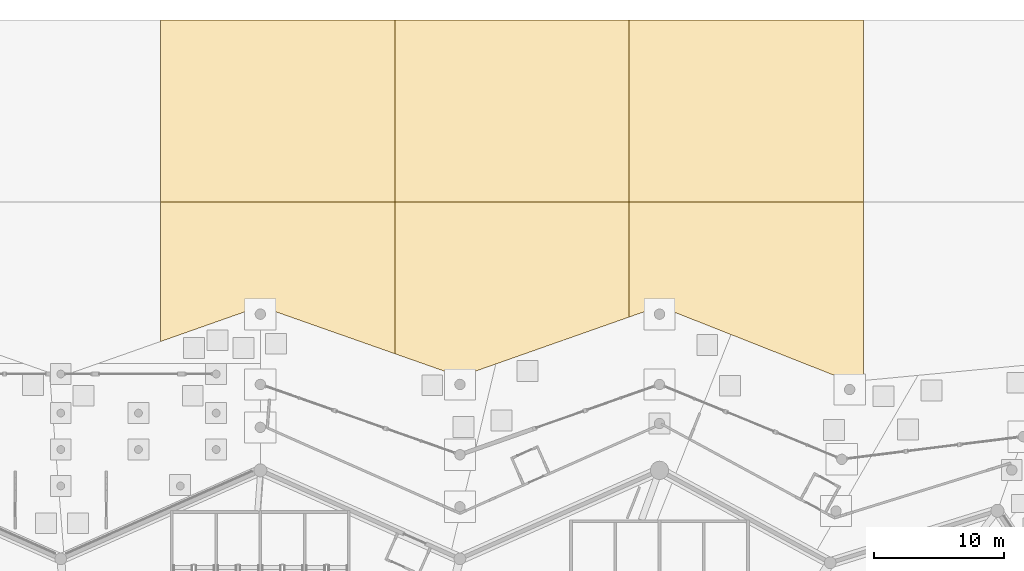
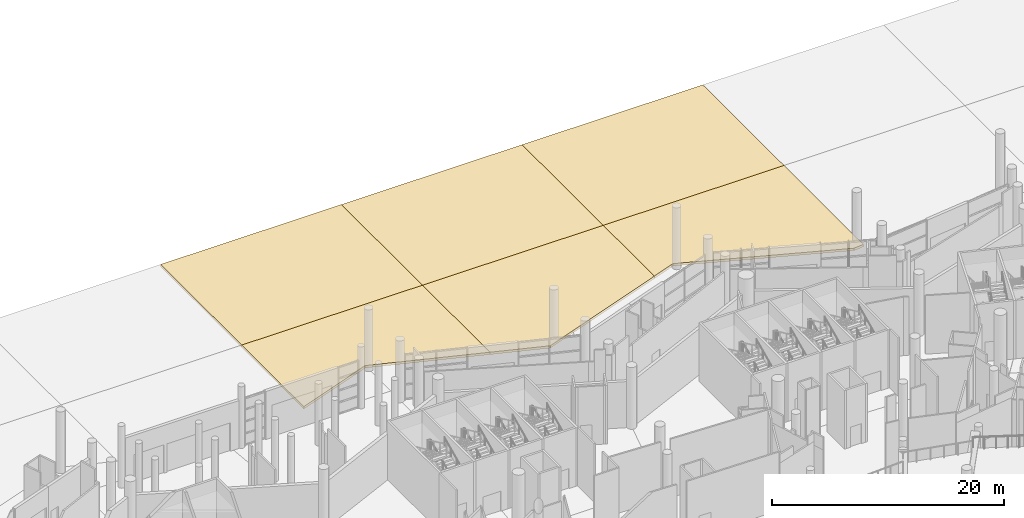
# One storey, part 251 of 255: 6 coverings.
"""IFC4 building model written with IfcOpenShell, lengths in metres."""

from ifc_helpers import new_model, si_unit, direction, frame, origin, place, context, subcontext, project, spatial, polyline, outline, extrude, material, layer, layer_set, type_object, element, save


model = new_model("IFC4")

# Units and contexts
model_context = context("Model", 3, precision=1e-05, world=origin(), true_north=direction((0.0, 1.0)))
body_context = subcontext(model_context, "Body", "Model", "MODEL_VIEW")
ifc_project = project(units=[si_unit("LENGTHUNIT", "METRE"), si_unit("AREAUNIT", "SQUARE_METRE"), si_unit("VOLUMEUNIT", "CUBIC_METRE"), si_unit("PLANEANGLEUNIT", "RADIAN"), si_unit("MASSUNIT", "GRAM", prefix="KILO")], contexts=[model_context])

# Site, building, storey
site_placement = place(None, origin())
site = spatial("IfcSite", under=ifc_project, at=site_placement, CompositionType="ELEMENT")
building_placement = place(site_placement, origin())
building = spatial("IfcBuilding", under=site, at=building_placement, Name="Meseta Stadium", CompositionType="ELEMENT")
storey_placement = place(building_placement, origin())
storey = spatial("IfcBuildingStorey", under=building, at=storey_placement, Name="L00", CompositionType="ELEMENT", Elevation=0.0)

# Coverings
ifc_material = material(Name="Guadarrama granite paving on bedding", Category="masonry")
ifc_layer = layer(ifc_material, 0.25)
ifc_layer_set = layer_set([ifc_layer], Name="Ground paving 250")
covering_type = type_object("IfcCoveringType", Name="Ground paving 250", PredefinedType="FLOORING", material=ifc_layer_set)
covering_1_placement = place(storey_placement, frame((0.0, 0.0, -0.25)))
element("IfcCovering", 1, at=covering_1_placement, inside=storey, type_object=covering_type, Name="Forecourt paving 71", PredefinedType="FLOORING", context=body_context, shape_type="SweptSolid", body=[
    extrude(outline(polyline([(18.0, 114.36083984375), (23.0, 112.60009765625), (36.0, 117.17822265625), (36.0, 126.0), (18.0, 126.0), (18.0, 114.36083984375)])), origin(), (0.0, 0.0, 1.0), 0.25),
])
covering_2_placement = place(storey_placement, frame((0.0, 0.0, -0.25)))
element("IfcCovering", 2, at=covering_2_placement, inside=storey, type_object=covering_type, Name="Forecourt paving 73", PredefinedType="FLOORING", context=body_context, shape_type="SweptSolid", body=[
    extrude(outline(polyline([(36.0, 117.17822265625), (38.333251953125, 118.0), (53.009033203125, 112.206298828125), (54.0, 112.30029296875), (54.0, 126.0), (36.0, 126.0), (36.0, 117.17822265625)])), origin(), (0.0, 0.0, 1.0), 0.25),
])
covering_3_placement = place(storey_placement, frame((0.0, 0.0, -0.25)))
element("IfcCovering", 3, at=covering_3_placement, inside=storey, type_object=covering_type, Name="Forecourt paving 75", PredefinedType="FLOORING", context=body_context, shape_type="SweptSolid", body=[
    extrude(outline(polyline([(0.0, 115.300048828125), (7.666748046875, 118.0), (18.0, 114.36083984375), (18.0, 126.0), (0.0, 126.0), (0.0, 115.300048828125)])), origin(), (0.0, 0.0, 1.0), 0.25),
])
covering_4_placement = place(storey_placement, frame((0.0, 0.0, -0.25)))
element("IfcCovering", 4, at=covering_4_placement, inside=storey, type_object=covering_type, Name="Forecourt paving 84", PredefinedType="FLOORING", context=body_context, shape_type="SweptSolid", body=[
    extrude(outline(polyline([(18.0, 140.0), (0.0, 140.0), (0.0, 126.0), (18.0, 126.0), (18.0, 140.0)])), origin(), (0.0, 0.0, 1.0), 0.25),
])
covering_5_placement = place(storey_placement, frame((0.0, 0.0, -0.25)))
element("IfcCovering", 5, at=covering_5_placement, inside=storey, type_object=covering_type, Name="Forecourt paving 85", PredefinedType="FLOORING", context=body_context, shape_type="SweptSolid", body=[
    extrude(outline(polyline([(36.0, 140.0), (18.0, 140.0), (18.0, 126.0), (36.0, 126.0), (36.0, 140.0)])), origin(), (0.0, 0.0, 1.0), 0.25),
])
covering_6_placement = place(storey_placement, frame((0.0, 0.0, -0.25)))
element("IfcCovering", 6, at=covering_6_placement, inside=storey, type_object=covering_type, Name="Forecourt paving 86", PredefinedType="FLOORING", context=body_context, shape_type="SweptSolid", body=[
    extrude(outline(polyline([(54.0, 140.0), (36.0, 140.0), (36.0, 126.0), (54.0, 126.0), (54.0, 140.0)])), origin(), (0.0, 0.0, 1.0), 0.25),
])

save(model, "model.ifc")
